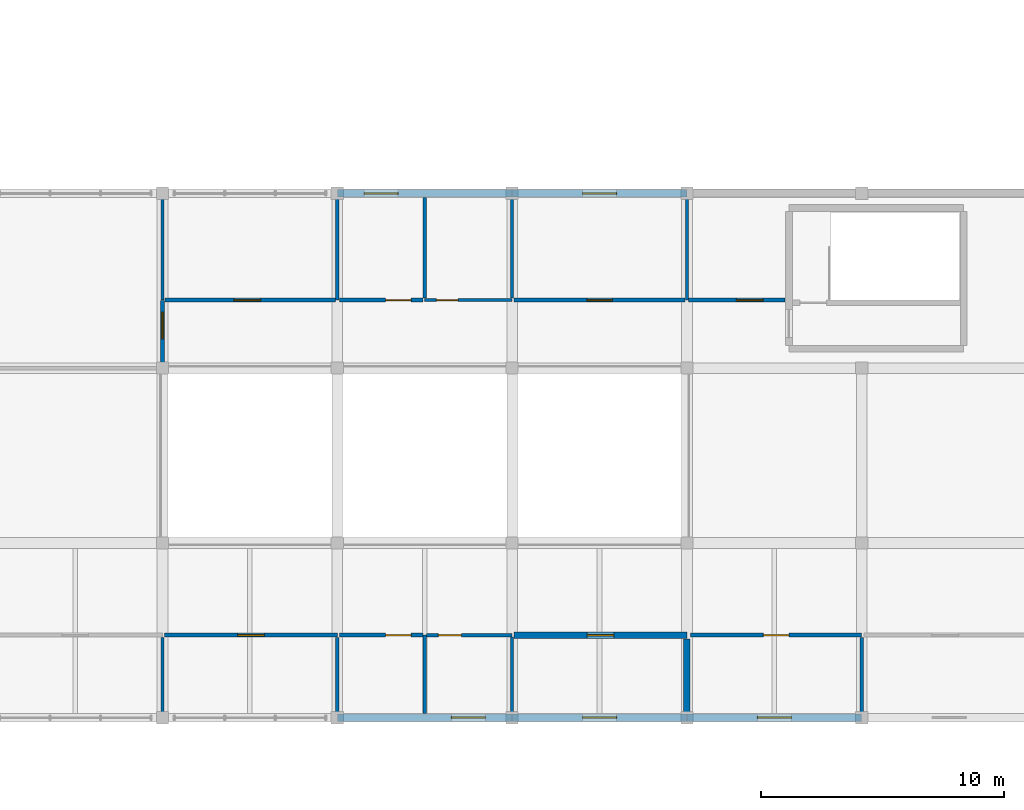
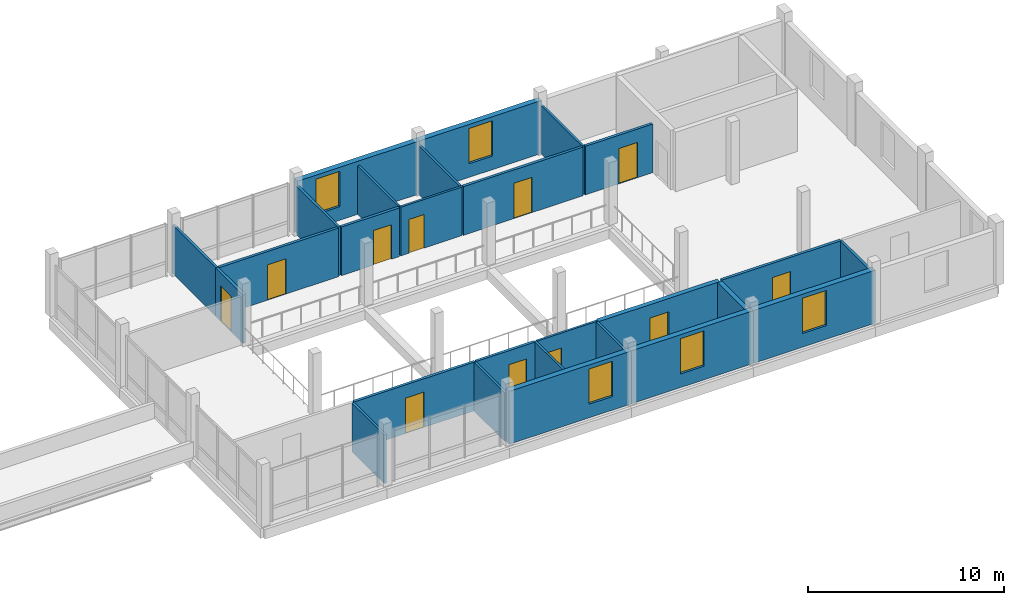
# One storey, part 116 of 128: 27 walls, 11 doors, 5 windows, 16 openings.
"""IFC4 building model written with IfcOpenShell, lengths in metres."""

from ifc_helpers import new_model, si_unit, direction, frame, frame_2d, origin, place, context, subcontext, project, spatial, rectangle, extrude, material, layer, layer_set, type_object, element, fill, save


model = new_model("IFC4")

# Units and contexts
model_context = context("Model", 3, precision=1e-05, world=origin(), true_north=direction((0.0, 1.0)))
body_context = subcontext(model_context, "Body", "Model", "MODEL_VIEW")
ifc_project = project(units=[si_unit("LENGTHUNIT", "METRE"), si_unit("AREAUNIT", "SQUARE_METRE"), si_unit("VOLUMEUNIT", "CUBIC_METRE"), si_unit("PLANEANGLEUNIT", "RADIAN"), si_unit("MASSUNIT", "GRAM", prefix="KILO")], contexts=[model_context])

# Site, building, storey
site_placement = place(None, origin())
site = spatial("IfcSite", under=ifc_project, at=site_placement, CompositionType="ELEMENT")
building_placement = place(site_placement, origin())
building = spatial("IfcBuilding", under=site, at=building_placement, Name="Zornivar Specialist Clinic", CompositionType="ELEMENT")
storey_placement = place(building_placement, frame((0.0, 0.0, 4.5)))
storey = spatial("IfcBuildingStorey", under=building, at=storey_placement, Name="L01", CompositionType="ELEMENT", Elevation=4.5)

# Wall, opening, window
ifc_material_1 = material(Name="Masonry Healing Pavilion Coursed Limestone Wall", Category="masonry")
ifc_layer_1 = layer(ifc_material_1, 0.320068359375)
ifc_layer_set_1 = layer_set([ifc_layer_1], Name="Masonry Healing Pavilion Coursed Limestone Wall")
wall_type_1 = type_object("IfcWallType", Name="EW-PAV-320", PredefinedType="SOLIDWALL", material=ifc_layer_set_1)
wall_1_placement = place(storey_placement, frame((136.800048828125, 0.0, 0.0), z_axis=(0.0, 0.0, 1.0), x_axis=(1.0, 0.0, 0.0)))
wall_1 = element("IfcWall", 1, at=wall_1_placement, inside=storey, type_object=wall_type_1, Name="ew:V4:L01:02", PredefinedType="SOLIDWALL", context=body_context, shape_type="SweptSolid", body=[
    extrude(rectangle(XDim=7.199951171875, YDim=0.320068359375, at=frame_2d((3.60009765625, 0.0))), origin(), (0.0, 0.0, 1.0), 3.300048828125),
])
opening_1_placement = place(wall_1_placement, frame((4.699951171875, 0.0, 0.85009765625)))
opening_1 = element("IfcOpeningElement", 2, at=opening_1_placement, cuts=wall_1, Name="Opening W-15", PredefinedType="OPENING", context=body_context, shape_type="SweptSolid", body=[
    extrude(rectangle(XDim=1.39990234375, YDim=2.199951171875, at=frame_2d((0.699951171875, 1.10009765625))), frame((0.0, 0.169921875, 0.0), z_axis=(0.0, -1.0, 0.0), x_axis=(1.0, 0.0, 0.0)), (0.0, 0.0, 1.0), 0.340087890625),
])
ifc_material_2 = material(Name="Triple-Glazed Aluminium-Timber Window Glass", Category="wood")
window_type = type_object("IfcWindowType", Name="WIN-PAV-GARDEN-1400x2200", PartitioningType="SINGLE_PANEL", PredefinedType="WINDOW", material=ifc_material_2)
window_1_placement = place(opening_1_placement, origin())
window_1 = element("IfcWindow", 3, at=window_1_placement, inside=storey, type_object=window_type, Name="win:V4:L01:02", OverallHeight=2.199951171875, OverallWidth=1.39990234375, PartitioningType="SINGLE_PANEL", PredefinedType="WINDOW", context=body_context, shape_type="SweptSolid", body=[
    extrude(rectangle(XDim=1.39990234375, YDim=2.199951171875, at=frame_2d((0.699951171875, 1.10009765625))), frame((0.0, 0.030029296875, 0.0), z_axis=(0.0, -1.0, 0.0), x_axis=(1.0, 0.0, 0.0)), (0.0, 0.0, 1.0), 0.06005859375),
])
fill(opening_1, window_1)

wall_2_placement = place(storey_placement, frame((144.0, 0.0, 0.0), z_axis=(0.0, 0.0, 1.0), x_axis=(1.0, 0.0, 0.0)))
wall_2 = element("IfcWall", 4, at=wall_2_placement, inside=storey, type_object=wall_type_1, Name="ew:V4:L01:03", PredefinedType="SOLIDWALL", context=body_context, shape_type="SweptSolid", body=[
    extrude(rectangle(XDim=7.199951171875, YDim=0.320068359375, at=frame_2d((3.60009765625, 0.0))), origin(), (0.0, 0.0, 1.0), 3.300048828125),
])
opening_2_placement = place(wall_2_placement, frame((2.89990234375, 0.0, 0.85009765625)))
opening_2 = element("IfcOpeningElement", 5, at=opening_2_placement, cuts=wall_2, Name="Opening W-15", PredefinedType="OPENING", context=body_context, shape_type="SweptSolid", body=[
    extrude(rectangle(XDim=1.39990234375, YDim=2.199951171875, at=frame_2d((0.699951171875, 1.10009765625))), frame((0.0, 0.169921875, 0.0), z_axis=(0.0, -1.0, 0.0), x_axis=(1.0, 0.0, 0.0)), (0.0, 0.0, 1.0), 0.340087890625),
])
window_2_placement = place(opening_2_placement, origin())
window_2 = element("IfcWindow", 6, at=window_2_placement, inside=storey, type_object=window_type, Name="win:V4:L01:03", OverallHeight=2.199951171875, OverallWidth=1.39990234375, PartitioningType="SINGLE_PANEL", PredefinedType="WINDOW", context=body_context, shape_type="SweptSolid", body=[
    extrude(rectangle(XDim=1.39990234375, YDim=2.199951171875, at=frame_2d((0.699951171875, 1.10009765625))), frame((0.0, 0.030029296875, 0.0), z_axis=(0.0, -1.0, 0.0), x_axis=(1.0, 0.0, 0.0)), (0.0, 0.0, 1.0), 0.06005859375),
])
fill(opening_2, window_2)

wall_3_placement = place(storey_placement, frame((151.199951171875, 0.0, 0.0), z_axis=(0.0, 0.0, 1.0), x_axis=(1.0, 0.0, 0.0)))
wall_3 = element("IfcWall", 7, at=wall_3_placement, inside=storey, type_object=wall_type_1, Name="ew:V4:L01:04", PredefinedType="SOLIDWALL", context=body_context, shape_type="SweptSolid", body=[
    extrude(rectangle(XDim=7.199951171875, YDim=0.320068359375, at=frame_2d((3.60009765625, 0.0))), origin(), (0.0, 0.0, 1.0), 3.300048828125),
])
opening_3_placement = place(wall_3_placement, frame((2.89990234375, 0.0, 0.85009765625)))
opening_3 = element("IfcOpeningElement", 8, at=opening_3_placement, cuts=wall_3, Name="Opening W-15", PredefinedType="OPENING", context=body_context, shape_type="SweptSolid", body=[
    extrude(rectangle(XDim=1.39990234375, YDim=2.199951171875, at=frame_2d((0.699951171875, 1.10009765625))), frame((0.0, 0.169921875, 0.0), z_axis=(0.0, -1.0, 0.0), x_axis=(1.0, 0.0, 0.0)), (0.0, 0.0, 1.0), 0.340087890625),
])
window_3_placement = place(opening_3_placement, origin())
window_3 = element("IfcWindow", 9, at=window_3_placement, inside=storey, type_object=window_type, Name="win:V4:L01:04", OverallHeight=2.199951171875, OverallWidth=1.39990234375, PartitioningType="SINGLE_PANEL", PredefinedType="WINDOW", context=body_context, shape_type="SweptSolid", body=[
    extrude(rectangle(XDim=1.39990234375, YDim=2.199951171875, at=frame_2d((0.699951171875, 1.10009765625))), frame((0.0, 0.030029296875, 0.0), z_axis=(0.0, -1.0, 0.0), x_axis=(1.0, 0.0, 0.0)), (0.0, 0.0, 1.0), 0.06005859375),
])
fill(opening_3, window_3)

wall_4_placement = place(storey_placement, frame((151.199951171875, 21.60009765625, 0.0), z_axis=(0.0, 0.0, 1.0), x_axis=(-1.0, 0.0, 0.0)))
wall_4 = element("IfcWall", 10, at=wall_4_placement, inside=storey, type_object=wall_type_1, Name="ew:V4:L01:11", PredefinedType="SOLIDWALL", context=body_context, shape_type="SweptSolid", body=[
    extrude(rectangle(XDim=7.199951171875, YDim=0.320068359375, at=frame_2d((3.60009765625, 0.0))), origin(), (0.0, 0.0, 1.0), 3.300048828125),
])
opening_4_placement = place(wall_4_placement, frame((2.89990234375, 0.0, 0.85009765625)))
opening_4 = element("IfcOpeningElement", 11, at=opening_4_placement, cuts=wall_4, Name="Opening W-15", PredefinedType="OPENING", context=body_context, shape_type="SweptSolid", body=[
    extrude(rectangle(XDim=1.39990234375, YDim=2.199951171875, at=frame_2d((0.699951171875, 1.10009765625))), frame((0.0, 0.169921875, 0.0), z_axis=(0.0, -1.0, 0.0), x_axis=(1.0, 0.0, 0.0)), (0.0, 0.0, 1.0), 0.340087890625),
])
window_4_placement = place(opening_4_placement, origin())
window_4 = element("IfcWindow", 12, at=window_4_placement, inside=storey, type_object=window_type, Name="win:V4:L01:11", OverallHeight=2.199951171875, OverallWidth=1.39990234375, PartitioningType="SINGLE_PANEL", PredefinedType="WINDOW", context=body_context, shape_type="SweptSolid", body=[
    extrude(rectangle(XDim=1.39990234375, YDim=2.199951171875, at=frame_2d((0.699951171875, 1.10009765625))), frame((0.0, 0.030029296875, 0.0), z_axis=(0.0, -1.0, 0.0), x_axis=(1.0, 0.0, 0.0)), (0.0, 0.0, 1.0), 0.06005859375),
])
fill(opening_4, window_4)

wall_5_placement = place(storey_placement, frame((144.0, 21.60009765625, 0.0), z_axis=(0.0, 0.0, 1.0), x_axis=(-1.0, 0.0, 0.0)))
wall_5 = element("IfcWall", 13, at=wall_5_placement, inside=storey, type_object=wall_type_1, Name="ew:V4:L01:12", PredefinedType="SOLIDWALL", context=body_context, shape_type="SweptSolid", body=[
    extrude(rectangle(XDim=7.199951171875, YDim=0.320068359375, at=frame_2d((3.60009765625, 0.0))), origin(), (0.0, 0.0, 1.0), 3.300048828125),
])
opening_5_placement = place(wall_5_placement, frame((4.699951171875, 0.0, 0.85009765625)))
opening_5 = element("IfcOpeningElement", 14, at=opening_5_placement, cuts=wall_5, Name="Opening W-15", PredefinedType="OPENING", context=body_context, shape_type="SweptSolid", body=[
    extrude(rectangle(XDim=1.39990234375, YDim=2.199951171875, at=frame_2d((0.699951171875, 1.10009765625))), frame((0.0, 0.169921875, 0.0), z_axis=(0.0, -1.0, 0.0), x_axis=(1.0, 0.0, 0.0)), (0.0, 0.0, 1.0), 0.340087890625),
])
window_5_placement = place(opening_5_placement, origin())
window_5 = element("IfcWindow", 15, at=window_5_placement, inside=storey, type_object=window_type, Name="win:V4:L01:12", OverallHeight=2.199951171875, OverallWidth=1.39990234375, PartitioningType="SINGLE_PANEL", PredefinedType="WINDOW", context=body_context, shape_type="SweptSolid", body=[
    extrude(rectangle(XDim=1.39990234375, YDim=2.199951171875, at=frame_2d((0.699951171875, 1.10009765625))), frame((0.0, 0.030029296875, 0.0), z_axis=(0.0, -1.0, 0.0), x_axis=(1.0, 0.0, 0.0)), (0.0, 0.0, 1.0), 0.06005859375),
])
fill(opening_5, window_5)

# Wall, opening, door
ifc_material_3 = material(Name="High-Mass Acoustic Auditorium and Audiometry Partition")
ifc_layer_2 = layer(ifc_material_3, 0.27001953125)
ifc_layer_set_2 = layer_set([ifc_layer_2], Name="High-Mass Acoustic Auditorium and Audiometry Partition")
wall_type_2 = type_object("IfcWallType", Name="IW-ACOUSTIC-AUD-270", PredefinedType="PARTITIONING", material=ifc_layer_set_2)
wall_6_placement = place(storey_placement, frame((144.0791015625, 3.39990234375, 0.0), z_axis=(0.0, 0.0, 1.0), x_axis=(1.0, 0.0, 0.0)))
wall_6 = element("IfcWall", 16, at=wall_6_placement, inside=storey, type_object=wall_type_2, Name="iw:L01:132", PredefinedType="PARTITIONING", context=body_context, shape_type="SweptSolid", body=[
    extrude(rectangle(XDim=7.120849609375, YDim=0.27001953125, at=frame_2d((3.560546875, 0.0))), origin(), (0.0, 0.0, 1.0), 3.030029296875),
])
opening_6_placement = place(wall_6_placement, frame((3.010009765625, 0.0, 0.0)))
opening_6 = element("IfcOpeningElement", 17, at=opening_6_placement, cuts=wall_6, Name="Opening ID-05", PredefinedType="OPENING", context=body_context, shape_type="SweptSolid", body=[
    extrude(rectangle(XDim=1.10009765625, YDim=2.199951171875, at=frame_2d((0.550048828125, 1.10009765625))), frame((0.0, 0.14501953125, 0.0), z_axis=(0.0, -1.0, 0.0), x_axis=(1.0, 0.0, 0.0)), (0.0, 0.0, 1.0), 0.2900390625),
])
ifc_material_4 = material(Name="Solid-Core Hygienic Laminate Timber Door", Category="wood")
door_type_1 = type_object("IfcDoorType", Name="ID-THER-1100x2200", OperationType="NOTDEFINED", PredefinedType="DOOR", material=ifc_material_4)
door_1_placement = place(opening_6_placement, origin())
door_1 = element("IfcDoor", 18, at=door_1_placement, inside=storey, type_object=door_type_1, Name="door:space:V4:L01:rm:08", OperationType="SINGLE_SWING_RIGHT", OverallHeight=2.199951171875, OverallWidth=1.10009765625, PredefinedType="DOOR", context=body_context, shape_type="SweptSolid", body=[
    extrude(rectangle(XDim=1.10009765625, YDim=2.199951171875, at=frame_2d((0.550048828125, 1.10009765625))), frame((0.0, 0.02490234375, 0.0), z_axis=(0.0, -1.0, 0.0), x_axis=(1.0, 0.0, 0.0)), (0.0, 0.0, 1.0), 0.050048828125),
])
fill(opening_6, door_1)

# Walls
wall_7_placement = place(storey_placement, frame((151.199951171875, 3.2509765625, 0.0), z_axis=(0.0, 0.0, 1.0), x_axis=(0.0, -1.0, 0.0)))
element("IfcWall", 19, at=wall_7_placement, inside=storey, type_object=wall_type_2, Name="iw:L01:133", PredefinedType="PARTITIONING", context=body_context, shape_type="SweptSolid", body=[
    extrude(rectangle(XDim=3.075927734375, YDim=0.27001953125, at=frame_2d((1.5380859375, 0.0))), origin(), (0.0, 0.0, 1.0), 3.030029296875),
])
ifc_material_5 = material(Name="Acoustic Clinical Stud Partition")
ifc_layer_3 = layer(ifc_material_5, 0.139892578125)
ifc_layer_set_3 = layer_set([ifc_layer_3], Name="Acoustic Clinical Stud Partition")
wall_type_3 = type_object("IfcWallType", Name="IW-CLIN-140", PredefinedType="PARTITIONING", material=ifc_layer_set_3)
wall_8_placement = place(storey_placement, frame((129.60009765625, 3.305908203125, 0.0), z_axis=(0.0, 0.0, 1.0), x_axis=(0.0, -1.0, 0.0)))
element("IfcWall", 20, at=wall_8_placement, inside=storey, type_object=wall_type_3, Name="iw:L01:116", PredefinedType="PARTITIONING", context=body_context, shape_type="SweptSolid", body=[
    extrude(rectangle(XDim=3.305908203125, YDim=0.139892578125, at=frame_2d((1.65283203125, 0.0))), origin(), (0.0, 0.0, 1.0), 3.030029296875),
])
wall_9_placement = place(storey_placement, frame((129.60009765625, 21.60009765625, 0.0), z_axis=(0.0, 0.0, 1.0), x_axis=(0.0, -1.0, 0.0)))
element("IfcWall", 21, at=wall_9_placement, inside=storey, type_object=wall_type_3, Name="iw:L01:117", PredefinedType="PARTITIONING", context=body_context, shape_type="SweptSolid", body=[
    extrude(rectangle(XDim=4.400146484375, YDim=0.139892578125, at=frame_2d((2.2001953125, 0.0))), origin(), (0.0, 0.0, 1.0), 3.030029296875),
])
wall_10_placement = place(storey_placement, frame((136.800048828125, 3.305908203125, 0.0), z_axis=(0.0, 0.0, 1.0), x_axis=(0.0, -1.0, 0.0)))
element("IfcWall", 22, at=wall_10_placement, inside=storey, type_object=wall_type_3, Name="iw:L01:121", PredefinedType="PARTITIONING", context=body_context, shape_type="SweptSolid", body=[
    extrude(rectangle(XDim=3.130859375, YDim=0.139892578125, at=frame_2d((1.5654296875, 0.0))), origin(), (0.0, 0.0, 1.0), 3.030029296875),
])
wall_11_placement = place(storey_placement, frame((136.800048828125, 21.425048828125, 0.0), z_axis=(0.0, 0.0, 1.0), x_axis=(0.0, -1.0, 0.0)))
element("IfcWall", 23, at=wall_11_placement, inside=storey, type_object=wall_type_3, Name="iw:L01:122", PredefinedType="PARTITIONING", context=body_context, shape_type="SweptSolid", body=[
    extrude(rectangle(XDim=4.22509765625, YDim=0.139892578125, at=frame_2d((2.112548828125, 0.0))), origin(), (0.0, 0.0, 1.0), 3.030029296875),
])
wall_12_placement = place(storey_placement, frame((158.39990234375, 3.305908203125, 0.0), z_axis=(0.0, 0.0, 1.0), x_axis=(0.0, -1.0, 0.0)))
element("IfcWall", 24, at=wall_12_placement, inside=storey, type_object=wall_type_3, Name="iw:L01:137", PredefinedType="PARTITIONING", context=body_context, shape_type="SweptSolid", body=[
    extrude(rectangle(XDim=3.130859375, YDim=0.139892578125, at=frame_2d((1.5654296875, 0.0))), origin(), (0.0, 0.0, 1.0), 3.030029296875),
])

# Wall, opening, door
ifc_material_6 = material(Name="Gypsum Fire-Rated Double Stud Partition")
ifc_layer_4 = layer(ifc_material_6, 0.159912109375)
ifc_layer_set_4 = layer_set([ifc_layer_4], Name="Gypsum Fire-Rated Double Stud Partition")
wall_type_4 = type_object("IfcWallType", Name="IW-CORR-EI60-160", PredefinedType="PARTITIONING", material=ifc_layer_set_4)
wall_13_placement = place(storey_placement, frame((129.60009765625, 17.18798828125, 0.0), z_axis=(0.0, 0.0, 1.0), x_axis=(0.0, -1.0, 0.0)))
wall_13 = element("IfcWall", 25, at=wall_13_placement, inside=storey, type_object=wall_type_4, Name="iw:L01:118", PredefinedType="PARTITIONING", context=body_context, shape_type="SweptSolid", body=[
    extrude(rectangle(XDim=2.7880859375, YDim=0.159912109375, at=frame_2d((1.39404296875, 0.0))), origin(), (0.0, 0.0, 1.0), 3.030029296875),
])
opening_7_placement = place(wall_13_placement, frame((0.47998046875, 0.0, 0.0)))
opening_7 = element("IfcOpeningElement", 26, at=opening_7_placement, cuts=wall_13, Name="Opening ID-05", PredefinedType="OPENING", context=body_context, shape_type="SweptSolid", body=[
    extrude(rectangle(XDim=1.10009765625, YDim=2.199951171875, at=frame_2d((0.550048828125, 1.10009765625))), frame((0.0, 0.08984375, 0.0), z_axis=(0.0, -1.0, 0.0), x_axis=(1.0, 0.0, 0.0)), (0.0, 0.0, 1.0), 0.179931640625),
])
door_2_placement = place(opening_7_placement, origin())
door_2 = element("IfcDoor", 27, at=door_2_placement, inside=storey, type_object=door_type_1, Name="door:space:V4:L01:rm:01", OperationType="SINGLE_SWING_LEFT", OverallHeight=2.199951171875, OverallWidth=1.10009765625, PredefinedType="DOOR", context=body_context, shape_type="SweptSolid", body=[
    extrude(rectangle(XDim=1.10009765625, YDim=2.199951171875, at=frame_2d((0.550048828125, 1.10009765625))), frame((0.0, 0.02490234375, 0.0), z_axis=(0.0, -1.0, 0.0), x_axis=(1.0, 0.0, 0.0)), (0.0, 0.0, 1.0), 0.050048828125),
])
fill(opening_7, door_2)

wall_14_placement = place(storey_placement, frame((129.68408203125, 3.39990234375, 0.0), z_axis=(0.0, 0.0, 1.0), x_axis=(1.0, 0.0, 0.0)))
wall_14 = element("IfcWall", 28, at=wall_14_placement, inside=storey, type_object=wall_type_4, Name="iw:L01:120", PredefinedType="PARTITIONING", context=body_context, shape_type="SweptSolid", body=[
    extrude(rectangle(XDim=7.115966796875, YDim=0.159912109375, at=frame_2d((3.55810546875, 0.0))), origin(), (0.0, 0.0, 1.0), 3.030029296875),
])
opening_8_placement = place(wall_14_placement, frame((3.008056640625, 0.0, 0.0)))
opening_8 = element("IfcOpeningElement", 29, at=opening_8_placement, cuts=wall_14, Name="Opening ID-05", PredefinedType="OPENING", context=body_context, shape_type="SweptSolid", body=[
    extrude(rectangle(XDim=1.10009765625, YDim=2.199951171875, at=frame_2d((0.550048828125, 1.10009765625))), frame((0.0, 0.08984375, 0.0), z_axis=(0.0, -1.0, 0.0), x_axis=(1.0, 0.0, 0.0)), (0.0, 0.0, 1.0), 0.179931640625),
])
door_3_placement = place(opening_8_placement, origin())
door_3 = element("IfcDoor", 30, at=door_3_placement, inside=storey, type_object=door_type_1, Name="door:space:V4:L01:rm:02", OperationType="SINGLE_SWING_RIGHT", OverallHeight=2.199951171875, OverallWidth=1.10009765625, PredefinedType="DOOR", context=body_context, shape_type="SweptSolid", body=[
    extrude(rectangle(XDim=1.10009765625, YDim=2.199951171875, at=frame_2d((0.550048828125, 1.10009765625))), frame((0.0, 0.02490234375, 0.0), z_axis=(0.0, -1.0, 0.0), x_axis=(1.0, 0.0, 0.0)), (0.0, 0.0, 1.0), 0.050048828125),
])
fill(opening_8, door_3)

wall_15_placement = place(storey_placement, frame((136.716064453125, 17.199951171875, 0.0), z_axis=(0.0, 0.0, 1.0), x_axis=(-1.0, 0.0, 0.0)))
wall_15 = element("IfcWall", 31, at=wall_15_placement, inside=storey, type_object=wall_type_4, Name="iw:L01:123", PredefinedType="PARTITIONING", context=body_context, shape_type="SweptSolid", body=[
    extrude(rectangle(XDim=7.02197265625, YDim=0.159912109375, at=frame_2d((3.510986328125, 0.0))), origin(), (0.0, 0.0, 1.0), 3.030029296875),
])
opening_9_placement = place(wall_15_placement, frame((3.0791015625, 0.0, 0.0)))
opening_9 = element("IfcOpeningElement", 32, at=opening_9_placement, cuts=wall_15, Name="Opening ID-05", PredefinedType="OPENING", context=body_context, shape_type="SweptSolid", body=[
    extrude(rectangle(XDim=1.10009765625, YDim=2.199951171875, at=frame_2d((0.550048828125, 1.10009765625))), frame((0.0, 0.08984375, 0.0), z_axis=(0.0, -1.0, 0.0), x_axis=(1.0, 0.0, 0.0)), (0.0, 0.0, 1.0), 0.179931640625),
])
door_4_placement = place(opening_9_placement, origin())
door_4 = element("IfcDoor", 33, at=door_4_placement, inside=storey, type_object=door_type_1, Name="door:space:V4:L01:rm:03", OperationType="SINGLE_SWING_LEFT", OverallHeight=2.199951171875, OverallWidth=1.10009765625, PredefinedType="DOOR", context=body_context, shape_type="SweptSolid", body=[
    extrude(rectangle(XDim=1.10009765625, YDim=2.199951171875, at=frame_2d((0.550048828125, 1.10009765625))), frame((0.0, 0.02490234375, 0.0), z_axis=(0.0, -1.0, 0.0), x_axis=(1.0, 0.0, 0.0)), (0.0, 0.0, 1.0), 0.050048828125),
])
fill(opening_9, door_4)

wall_16_placement = place(storey_placement, frame((136.884033203125, 3.39990234375, 0.0), z_axis=(0.0, 0.0, 1.0), x_axis=(1.0, 0.0, 0.0)))
wall_16 = element("IfcWall", 34, at=wall_16_placement, inside=storey, type_object=wall_type_4, Name="iw:L01:127", PredefinedType="PARTITIONING", context=body_context, shape_type="SweptSolid", body=[
    extrude(rectangle(XDim=3.43701171875, YDim=0.159912109375, at=frame_2d((1.718505859375, 0.0))), origin(), (0.0, 0.0, 1.0), 3.030029296875),
])
opening_10_placement = place(wall_16_placement, frame((1.906982421875, 0.0, 0.0)))
opening_10 = element("IfcOpeningElement", 35, at=opening_10_placement, cuts=wall_16, Name="Opening ID-03", PredefinedType="OPENING", context=body_context, shape_type="SweptSolid", body=[
    extrude(rectangle(XDim=1.050048828125, YDim=2.14990234375, at=frame_2d((0.52490234375, 1.074951171875))), frame((0.0, 0.08984375, 0.0), z_axis=(0.0, -1.0, 0.0), x_axis=(1.0, 0.0, 0.0)), (0.0, 0.0, 1.0), 0.179931640625),
])
ifc_material_7 = material(Name="Solid-Core Hygienic Laminate Timber Door", Category="wood")
door_type_2 = type_object("IfcDoorType", Name="ID-CONS-1050x2150", OperationType="NOTDEFINED", PredefinedType="DOOR", material=ifc_material_7)
door_5_placement = place(opening_10_placement, origin())
door_5 = element("IfcDoor", 36, at=door_5_placement, inside=storey, type_object=door_type_2, Name="door:space:V4:L01:rm:04b", OperationType="SINGLE_SWING_LEFT", OverallHeight=2.14990234375, OverallWidth=1.050048828125, PredefinedType="DOOR", context=body_context, shape_type="SweptSolid", body=[
    extrude(rectangle(XDim=1.050048828125, YDim=2.14990234375, at=frame_2d((0.52490234375, 1.074951171875))), frame((0.0, 0.02490234375, 0.0), z_axis=(0.0, -1.0, 0.0), x_axis=(1.0, 0.0, 0.0)), (0.0, 0.0, 1.0), 0.050048828125),
])
fill(opening_10, door_5)

wall_17_placement = place(storey_placement, frame((140.321044921875, 17.199951171875, 0.0), z_axis=(0.0, 0.0, 1.0), x_axis=(-1.0, 0.0, 0.0)))
wall_17 = element("IfcWall", 37, at=wall_17_placement, inside=storey, type_object=wall_type_4, Name="iw:L01:131", PredefinedType="PARTITIONING", context=body_context, shape_type="SweptSolid", body=[
    extrude(rectangle(XDim=3.43701171875, YDim=0.159912109375, at=frame_2d((1.718505859375, 0.0))), origin(), (0.0, 0.0, 1.0), 3.030029296875),
])
opening_11_placement = place(wall_17_placement, frame((0.47998046875, 0.0, 0.0)))
opening_11 = element("IfcOpeningElement", 38, at=opening_11_placement, cuts=wall_17, Name="Opening ID-03", PredefinedType="OPENING", context=body_context, shape_type="SweptSolid", body=[
    extrude(rectangle(XDim=1.050048828125, YDim=2.14990234375, at=frame_2d((0.52490234375, 1.074951171875))), frame((0.0, 0.08984375, 0.0), z_axis=(0.0, -1.0, 0.0), x_axis=(1.0, 0.0, 0.0)), (0.0, 0.0, 1.0), 0.179931640625),
])
door_6_placement = place(opening_11_placement, origin())
door_6 = element("IfcDoor", 39, at=door_6_placement, inside=storey, type_object=door_type_2, Name="door:space:V4:L01:rm:06b", OperationType="SINGLE_SWING_LEFT", OverallHeight=2.14990234375, OverallWidth=1.050048828125, PredefinedType="DOOR", context=body_context, shape_type="SweptSolid", body=[
    extrude(rectangle(XDim=1.050048828125, YDim=2.14990234375, at=frame_2d((0.52490234375, 1.074951171875))), frame((0.0, 0.02490234375, 0.0), z_axis=(0.0, -1.0, 0.0), x_axis=(1.0, 0.0, 0.0)), (0.0, 0.0, 1.0), 0.050048828125),
])
fill(opening_11, door_6)

wall_18_placement = place(storey_placement, frame((151.1259765625, 17.199951171875, 0.0), z_axis=(0.0, 0.0, 1.0), x_axis=(-1.0, 0.0, 0.0)))
wall_18 = element("IfcWall", 40, at=wall_18_placement, inside=storey, type_object=wall_type_4, Name="iw:L01:135", PredefinedType="PARTITIONING", context=body_context, shape_type="SweptSolid", body=[
    extrude(rectangle(XDim=7.046875, YDim=0.159912109375, at=frame_2d((3.5234375, 0.0))), origin(), (0.0, 0.0, 1.0), 3.030029296875),
])
opening_12_placement = place(wall_18_placement, frame((2.998046875, 0.0, 0.0)))
opening_12 = element("IfcOpeningElement", 41, at=opening_12_placement, cuts=wall_18, Name="Opening ID-15", PredefinedType="OPENING", context=body_context, shape_type="SweptSolid", body=[
    extrude(rectangle(XDim=1.050048828125, YDim=2.199951171875, at=frame_2d((0.52490234375, 1.10009765625))), frame((0.0, 0.08984375, 0.0), z_axis=(0.0, -1.0, 0.0), x_axis=(1.0, 0.0, 0.0)), (0.0, 0.0, 1.0), 0.179931640625),
])
ifc_material_8 = material(Name="Solid-Core Hygienic Laminate Timber Door", Category="wood")
door_type_3 = type_object("IfcDoorType", Name="ID-COUNS-1050x2200", OperationType="NOTDEFINED", PredefinedType="DOOR", material=ifc_material_8)
door_7_placement = place(opening_12_placement, origin())
door_7 = element("IfcDoor", 42, at=door_7_placement, inside=storey, type_object=door_type_3, Name="door:space:V4:L01:rm:09", OperationType="SINGLE_SWING_LEFT", OverallHeight=2.199951171875, OverallWidth=1.050048828125, PredefinedType="DOOR", context=body_context, shape_type="SweptSolid", body=[
    extrude(rectangle(XDim=1.050048828125, YDim=2.199951171875, at=frame_2d((0.52490234375, 1.10009765625))), frame((0.0, 0.02490234375, 0.0), z_axis=(0.0, -1.0, 0.0), x_axis=(1.0, 0.0, 0.0)), (0.0, 0.0, 1.0), 0.050048828125),
])
fill(opening_12, door_7)

wall_19_placement = place(storey_placement, frame((151.34912109375, 3.39990234375, 0.0), z_axis=(0.0, 0.0, 1.0), x_axis=(1.0, 0.0, 0.0)))
wall_19 = element("IfcWall", 43, at=wall_19_placement, inside=storey, type_object=wall_type_4, Name="iw:L01:136", PredefinedType="PARTITIONING", context=body_context, shape_type="SweptSolid", body=[
    extrude(rectangle(XDim=7.05078125, YDim=0.159912109375, at=frame_2d((3.525390625, 0.0))), origin(), (0.0, 0.0, 1.0), 3.030029296875),
])
opening_13_placement = place(wall_19_placement, frame((3.0009765625, 0.0, 0.0)))
opening_13 = element("IfcOpeningElement", 44, at=opening_13_placement, cuts=wall_19, Name="Opening ID-03", PredefinedType="OPENING", context=body_context, shape_type="SweptSolid", body=[
    extrude(rectangle(XDim=1.050048828125, YDim=2.14990234375, at=frame_2d((0.52490234375, 1.074951171875))), frame((0.0, 0.08984375, 0.0), z_axis=(0.0, -1.0, 0.0), x_axis=(1.0, 0.0, 0.0)), (0.0, 0.0, 1.0), 0.179931640625),
])
door_8_placement = place(opening_13_placement, origin())
door_8 = element("IfcDoor", 45, at=door_8_placement, inside=storey, type_object=door_type_2, Name="door:space:V4:L01:rm:10", OperationType="SINGLE_SWING_RIGHT", OverallHeight=2.14990234375, OverallWidth=1.050048828125, PredefinedType="DOOR", context=body_context, shape_type="SweptSolid", body=[
    extrude(rectangle(XDim=1.050048828125, YDim=2.14990234375, at=frame_2d((0.52490234375, 1.074951171875))), frame((0.0, 0.02490234375, 0.0), z_axis=(0.0, -1.0, 0.0), x_axis=(1.0, 0.0, 0.0)), (0.0, 0.0, 1.0), 0.050048828125),
])
fill(opening_13, door_8)

wall_20_placement = place(storey_placement, frame((155.2451171875, 17.199951171875, 0.0), z_axis=(0.0, 0.0, 1.0), x_axis=(-1.0, 0.0, 0.0)))
wall_20 = element("IfcWall", 46, at=wall_20_placement, inside=storey, type_object=wall_type_4, Name="iw:L01:138", PredefinedType="PARTITIONING", context=body_context, shape_type="SweptSolid", body=[
    extrude(rectangle(XDim=3.97119140625, YDim=0.159912109375, at=frame_2d((1.985595703125, 0.0))), origin(), (0.0, 0.0, 1.0), 3.030029296875),
])
opening_14_placement = place(wall_20_placement, frame((0.905029296875, 0.0, 0.0)))
opening_14 = element("IfcOpeningElement", 47, at=opening_14_placement, cuts=wall_20, Name="Opening ID-05", PredefinedType="OPENING", context=body_context, shape_type="SweptSolid", body=[
    extrude(rectangle(XDim=1.10009765625, YDim=2.199951171875, at=frame_2d((0.550048828125, 1.10009765625))), frame((0.0, 0.08984375, 0.0), z_axis=(0.0, -1.0, 0.0), x_axis=(1.0, 0.0, 0.0)), (0.0, 0.0, 1.0), 0.179931640625),
])
door_9_placement = place(opening_14_placement, origin())
door_9 = element("IfcDoor", 48, at=door_9_placement, inside=storey, type_object=door_type_1, Name="door:space:V4:L01:rm:11", OperationType="SINGLE_SWING_LEFT", OverallHeight=2.199951171875, OverallWidth=1.10009765625, PredefinedType="DOOR", context=body_context, shape_type="SweptSolid", body=[
    extrude(rectangle(XDim=1.10009765625, YDim=2.199951171875, at=frame_2d((0.550048828125, 1.10009765625))), frame((0.0, 0.02490234375, 0.0), z_axis=(0.0, -1.0, 0.0), x_axis=(1.0, 0.0, 0.0)), (0.0, 0.0, 1.0), 0.050048828125),
])
fill(opening_14, door_9)

# Walls
ifc_material_9 = material(Name="Acoustic Glazed Consultation Partition")
ifc_layer_5 = layer(ifc_material_9, 0.1201171875)
ifc_layer_set_5 = layer_set([ifc_layer_5], Name="Acoustic Glazed Consultation Partition")
wall_type_5 = type_object("IfcWallType", Name="IW-GLAZ-120", PredefinedType="PARTITIONING", material=ifc_layer_set_5)
wall_21_placement = place(storey_placement, frame((151.199951171875, 21.425048828125, 0.0), z_axis=(0.0, 0.0, 1.0), x_axis=(0.0, -1.0, 0.0)))
element("IfcWall", 49, at=wall_21_placement, inside=storey, type_object=wall_type_5, Name="iw:L01:134", PredefinedType="PARTITIONING", context=body_context, shape_type="SweptSolid", body=[
    extrude(rectangle(XDim=4.22509765625, YDim=0.1201171875, at=frame_2d((2.112548828125, 0.0))), origin(), (0.0, 0.0, 1.0), 3.030029296875),
])
ifc_material_10 = material(Name="Moisture-Resistant Sanitary Partition")
ifc_layer_6 = layer(ifc_material_10, 0.1298828125)
ifc_layer_set_6 = layer_set([ifc_layer_6], Name="Moisture-Resistant Sanitary Partition")
wall_type_6 = type_object("IfcWallType", Name="IW-WET-130", PredefinedType="PARTITIONING", material=ifc_layer_set_6)
wall_22_placement = place(storey_placement, frame((140.39990234375, 0.175048828125, 0.0), z_axis=(0.0, 0.0, 1.0), x_axis=(0.0, 1.0, 0.0)))
element("IfcWall", 50, at=wall_22_placement, inside=storey, type_object=wall_type_6, Name="iw:L01:124", PredefinedType="PARTITIONING", context=body_context, shape_type="SweptSolid", body=[
    extrude(rectangle(XDim=3.224853515625, YDim=0.1298828125, at=frame_2d((1.6123046875, 0.0))), origin(), (0.0, 0.0, 1.0), 3.030029296875),
])

# Wall, opening, door
wall_23_placement = place(storey_placement, frame((140.47900390625, 3.39990234375, 0.0), z_axis=(0.0, 0.0, 1.0), x_axis=(1.0, 0.0, 0.0)))
wall_23 = element("IfcWall", 51, at=wall_23_placement, inside=storey, type_object=wall_type_6, Name="iw:L01:125", PredefinedType="PARTITIONING", context=body_context, shape_type="SweptSolid", body=[
    extrude(rectangle(XDim=3.52099609375, YDim=0.1298828125, at=frame_2d((1.760498046875, 0.0))), origin(), (0.0, 0.0, 1.0), 3.030029296875),
])
opening_15_placement = place(wall_23_placement, frame((0.47998046875, 0.0, 0.0)))
opening_15 = element("IfcOpeningElement", 52, at=opening_15_placement, cuts=wall_23, Name="Opening ID-07", PredefinedType="OPENING", context=body_context, shape_type="SweptSolid", body=[
    extrude(rectangle(XDim=0.949951171875, YDim=2.10009765625, at=frame_2d((0.47509765625, 1.050048828125))), frame((0.0, 0.074951171875, 0.0), z_axis=(0.0, -1.0, 0.0), x_axis=(1.0, 0.0, 0.0)), (0.0, 0.0, 1.0), 0.14990234375),
])
ifc_material_11 = material(Name="Solid-Core Hygienic Laminate Timber Door", Category="wood")
door_type_4 = type_object("IfcDoorType", Name="ID-WC-ACC-0950x2100", OperationType="NOTDEFINED", PredefinedType="DOOR", material=ifc_material_11)
door_10_placement = place(opening_15_placement, origin())
door_10 = element("IfcDoor", 53, at=door_10_placement, inside=storey, type_object=door_type_4, Name="door:space:V4:L01:rm:04", OperationType="SINGLE_SWING_RIGHT", OverallHeight=2.10009765625, OverallWidth=0.949951171875, PredefinedType="DOOR", context=body_context, shape_type="SweptSolid", body=[
    extrude(rectangle(XDim=0.949951171875, YDim=2.10009765625, at=frame_2d((0.47509765625, 1.050048828125))), frame((0.0, 0.02490234375, 0.0), z_axis=(0.0, -1.0, 0.0), x_axis=(1.0, 0.0, 0.0)), (0.0, 0.0, 1.0), 0.050048828125),
])
fill(opening_15, door_10)

# Wall
wall_24_placement = place(storey_placement, frame((144.0, 3.321044921875, 0.0), z_axis=(0.0, 0.0, 1.0), x_axis=(0.0, -1.0, 0.0)))
element("IfcWall", 54, at=wall_24_placement, inside=storey, type_object=wall_type_6, Name="iw:L01:126", PredefinedType="PARTITIONING", context=body_context, shape_type="SweptSolid", body=[
    extrude(rectangle(XDim=3.14599609375, YDim=0.1298828125, at=frame_2d((1.572998046875, 0.0))), origin(), (0.0, 0.0, 1.0), 3.030029296875),
])

# Wall, opening, door
wall_25_placement = place(storey_placement, frame((144.0, 17.199951171875, 0.0), z_axis=(0.0, 0.0, 1.0), x_axis=(-1.0, 0.0, 0.0)))
wall_25 = element("IfcWall", 55, at=wall_25_placement, inside=storey, type_object=wall_type_6, Name="iw:L01:128", PredefinedType="PARTITIONING", context=body_context, shape_type="SweptSolid", body=[
    extrude(rectangle(XDim=3.60009765625, YDim=0.1298828125, at=frame_2d((1.800048828125, 0.0))), origin(), (0.0, 0.0, 1.0), 3.030029296875),
])
opening_16_placement = place(wall_25_placement, frame((2.219970703125, 0.0, 0.0)))
opening_16 = element("IfcOpeningElement", 56, at=opening_16_placement, cuts=wall_25, Name="Opening ID-08", PredefinedType="OPENING", context=body_context, shape_type="SweptSolid", body=[
    extrude(rectangle(XDim=0.89990234375, YDim=2.10009765625, at=frame_2d((0.449951171875, 1.050048828125))), frame((0.0, 0.074951171875, 0.0), z_axis=(0.0, -1.0, 0.0), x_axis=(1.0, 0.0, 0.0)), (0.0, 0.0, 1.0), 0.14990234375),
])
ifc_material_12 = material(Name="Solid-Core Hygienic Laminate Timber Door", Category="wood")
door_type_5 = type_object("IfcDoorType", Name="ID-WC-STD-0900x2100", OperationType="NOTDEFINED", PredefinedType="DOOR", material=ifc_material_12)
door_11_placement = place(opening_16_placement, origin())
door_11 = element("IfcDoor", 57, at=door_11_placement, inside=storey, type_object=door_type_5, Name="door:space:V4:L01:rm:06", OperationType="SINGLE_SWING_RIGHT", OverallHeight=2.10009765625, OverallWidth=0.89990234375, PredefinedType="DOOR", context=body_context, shape_type="SweptSolid", body=[
    extrude(rectangle(XDim=0.89990234375, YDim=2.10009765625, at=frame_2d((0.449951171875, 1.050048828125))), frame((0.0, 0.02490234375, 0.0), z_axis=(0.0, -1.0, 0.0), x_axis=(1.0, 0.0, 0.0)), (0.0, 0.0, 1.0), 0.050048828125),
])
fill(opening_16, door_11)

# Walls
for number, where, z_axis, x_axis, name in (
    (58, (140.39990234375, 17.279052734375, 0.0), (0.0, 0.0, 1.0), (0.0, 1.0, 0.0), "iw:L01:129"),
    (59, (144.0, 21.425048828125, 0.0), (0.0, 0.0, 1.0), (0.0, -1.0, 0.0), "iw:L01:130"),
):
    element("IfcWall", number, at=place(storey_placement, frame(where, z_axis=z_axis, x_axis=x_axis)), inside=storey, type_object=wall_type_6, Name=name, PredefinedType="PARTITIONING", context=body_context, shape_type="SweptSolid", body=[
        extrude(rectangle(XDim=4.14599609375, YDim=0.1298828125, at=frame_2d((2.072998046875, 0.0))), origin(), (0.0, 0.0, 1.0), 3.030029296875),
    ])

save(model, "model.ifc")
